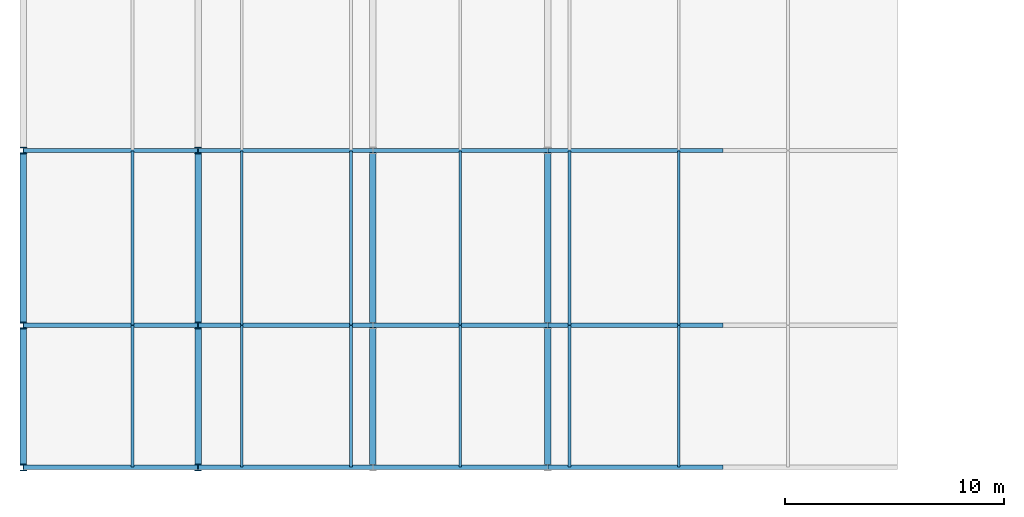
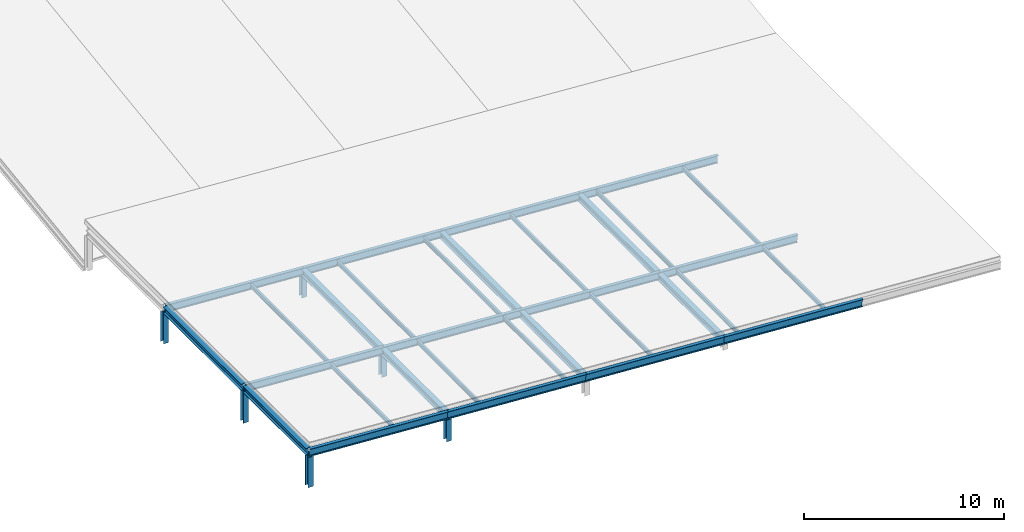
# One storey, part 5 of 77: 30 members, 8 beams.
"""IFC4 building model written with IfcOpenShell, lengths in metres."""

import ifcopenshell
import ifcopenshell.guid

model = None  # the IFC model being written
_history = None  # IfcOwnerHistory: only IFC2X3 demands one
_inside = {}  # id of a spatial element -> (the spatial element, [elements in it])
_under = {}  # id of a project, library or spatial element -> (it, [spatial elements below it])
_declared = {}  # id of a project -> (the project, [libraries it declares])
_typed = {}  # id of a type object -> (the type object, [elements of that type])
_made_of = {}  # id of a material, layer set ... -> (it, [elements and type objects made of it])


def new_model(schema):
    """Start an empty IFC model of exactly this schema.

    Asked for "IFC4X3", IfcOpenShell would pick the latest addendum, in which some entities
    have other attributes; the version numbers below select the first issue.
    IFC2X3 requires an IfcOwnerHistory on every rooted entity: one is made here for all.
    """
    global model, _history
    if schema == "IFC4X3":
        model = ifcopenshell.file(schema_version=(4, 3, 0, 0))
    else:
        model = ifcopenshell.file(schema=schema)
    _inside.clear()
    _under.clear()
    _declared.clear()
    _typed.clear()
    _made_of.clear()
    _history = None
    if model.schema == "IFC2X3":
        org = make("IfcOrganization", Name="unknown")
        user = make(
            "IfcPersonAndOrganization",
            ThePerson=make("IfcPerson", FamilyName="unknown"),
            TheOrganization=org,
        )
        app = make(
            "IfcApplication",
            ApplicationDeveloper=org,
            Version="unknown",
            ApplicationFullName="unknown",
            ApplicationIdentifier="unknown",
        )
        _history = make(
            "IfcOwnerHistory",
            OwningUser=user,
            OwningApplication=app,
            ChangeAction="ADDED",
            CreationDate=0,
        )
    return model


def make(cls, **values):
    """One entity of the class cls with the attributes given. An attribute that is None is left unset."""
    return model.create_entity(
        cls, **{name: value for name, value in values.items() if value is not None}
    )


def rooted(cls, **values):
    """An entity with a GlobalId (a new one), such as an element, a storey or a relation."""
    return make(cls, GlobalId=ifcopenshell.guid.new(), OwnerHistory=_history, **values)


def si_unit(unit_type, name, prefix=None):
    """IfcSIUnit, for example si_unit("LENGTHUNIT", "METRE", prefix="MILLI")."""
    return make("IfcSIUnit", UnitType=unit_type, Prefix=prefix, Name=name)


def assignment(units):
    """IfcUnitAssignment: the units of a project."""
    return None if units is None else make("IfcUnitAssignment", Units=units)


def point(xyz):
    """IfcCartesianPoint."""
    return None if xyz is None else make("IfcCartesianPoint", Coordinates=xyz)


def direction(xyz):
    """IfcDirection."""
    return None if xyz is None else make("IfcDirection", DirectionRatios=xyz)


def frame(location, z_axis=None, x_axis=None):
    """IfcAxis2Placement3D, a coordinate frame: its origin and axes. An axis left out is left unset."""
    return make(
        "IfcAxis2Placement3D",
        Location=point(location),
        Axis=direction(z_axis),
        RefDirection=direction(x_axis),
    )


def frame_2d(location, x_axis=None):
    """IfcAxis2Placement2D, a coordinate frame in the plane: its origin and x axis."""
    return make(
        "IfcAxis2Placement2D", Location=point(location), RefDirection=direction(x_axis)
    )


def origin():
    """The frame at (0, 0, 0) with its axes left unset."""
    return frame((0.0, 0.0, 0.0))


def origin_2d():
    """The frame at (0, 0) in the plane with its x axis left unset."""
    return frame_2d((0.0, 0.0))


def place(relative_to, where):
    """IfcLocalPlacement: puts the frame where relative to a parent placement (None: the world)."""
    return make(
        "IfcLocalPlacement", PlacementRelTo=relative_to, RelativePlacement=where
    )


def context(
    kind, dimensions, precision=None, world=None, true_north=None, identifier=None
):
    """IfcGeometricRepresentationContext, for example the 3D "Model" context."""
    return make(
        "IfcGeometricRepresentationContext",
        ContextIdentifier=identifier,
        ContextType=kind,
        CoordinateSpaceDimension=dimensions,
        Precision=precision,
        WorldCoordinateSystem=world,
        TrueNorth=true_north,
    )


def subcontext(parent, identifier, kind, view, scale=None):
    """IfcGeometricRepresentationSubContext, for example "Body" below "Model"."""
    return make(
        "IfcGeometricRepresentationSubContext",
        ContextIdentifier=identifier,
        ContextType=kind,
        ParentContext=parent,
        TargetScale=scale,
        TargetView=view,
    )


def project(units=None, contexts=None):
    """IfcProject with its units and contexts."""
    return rooted(
        "IfcProject",
        Name="project",
        RepresentationContexts=contexts,
        UnitsInContext=assignment(units),
    )


def spatial(cls, under=None, at=None, **own):
    """A site, building, storey or space (cls), placed at a placement, below another one or the project."""
    s = rooted(cls, ObjectPlacement=at, **own)
    if under is not None:
        _under.setdefault(under.id(), (under, []))[1].append(s)
    return s


def profile(cls, at=None, kind="AREA", **sizes):
    """A parametric profile (cls). Its sizes go by their IFC names, for example OverallWidth=200.0."""
    return make(cls, ProfileType=kind, Position=at, **sizes)


def i_section(**sizes):
    """IfcIShapeProfileDef."""
    return profile("IfcIShapeProfileDef", **sizes)


def extrude(swept, where, along, depth):
    """IfcExtrudedAreaSolid: the profile swept, set in the frame where, extruded along a direction by depth."""
    return make(
        "IfcExtrudedAreaSolid",
        SweptArea=swept,
        Position=where,
        ExtrudedDirection=direction(along),
        Depth=depth,
    )


def shape(context_of_items, identifier, shape_type, items):
    """IfcShapeRepresentation: the items that make up one representation, for example the "Body"."""
    return make(
        "IfcShapeRepresentation",
        ContextOfItems=context_of_items,
        RepresentationIdentifier=identifier,
        RepresentationType=shape_type,
        Items=items,
    )


def material(Name=None, Category=None):
    """IfcMaterial."""
    return make("IfcMaterial", Name=Name, Category=Category)


def material_profile(
    of_material, cross_section, Name=None, Category=None, Priority=None
):
    """IfcMaterialProfile: a cross section and its material."""
    return make(
        "IfcMaterialProfile",
        Name=Name,
        Material=of_material,
        Profile=cross_section,
        Priority=Priority,
        Category=Category,
    )


def profile_set(profiles, Name=None, composite=None):
    """IfcMaterialProfileSet."""
    return make(
        "IfcMaterialProfileSet",
        Name=Name,
        MaterialProfiles=profiles,
        CompositeProfile=composite,
    )


def made_of(thing, what):
    """Note that an element or type object is made of a material, layer set ...; save() writes the relation."""
    if what is not None:
        _made_of.setdefault(what.id(), (what, []))[1].append(thing)
    return thing


def type_object(cls, material=None, **own):
    """A type object (cls), such as IfcWallType, which elements share."""
    return made_of(rooted(cls, **own), material)


def element(
    cls,
    number,
    at=None,
    inside=None,
    cuts=None,
    type_object=None,
    material=None,
    context=None,
    identifier="Body",
    shape_type=None,
    held_by="IfcProductDefinitionShape",
    body=None,
    shapes=None,
    **own,
):
    """One element of the class cls, such as IfcWall. Its Tag is "e" and its number.

    at: its placement. inside: the storey or other place that contains it. cuts: it is an
    opening in that element (IfcRelVoidsElement). A single representation is given by context,
    identifier, shape_type and body (its items); several are given by shapes. held_by: the class
    of the entity that holds the representations. save() writes the other relations.
    """
    e = rooted(cls, Tag="e%d" % number, ObjectPlacement=at, **own)
    if body is not None:
        shapes = [shape(context, identifier, shape_type, body)]
    if shapes is not None:
        e.Representation = make(held_by, Representations=shapes)
    if inside is not None:
        _inside.setdefault(inside.id(), (inside, []))[1].append(e)
    if cuts is not None:
        rooted(
            "IfcRelVoidsElement", RelatingBuildingElement=cuts, RelatedOpeningElement=e
        )
    if type_object is not None:
        _typed.setdefault(type_object.id(), (type_object, []))[1].append(e)
    return made_of(e, material)


def aggregate(whole, parts):
    """IfcRelAggregates: a whole, such as a stair, and the parts it consists of."""
    return rooted("IfcRelAggregates", RelatingObject=whole, RelatedObjects=parts)


def save(model, path):
    """Write the relations noted so far, then the file.

    IfcRelAggregates (storeys below a building ...), IfcRelContainedInSpatialStructure (elements
    in a storey), IfcRelDefinesByType, IfcRelAssociatesMaterial and IfcRelDeclares: one each for
    every whole, place, type object, material and project.
    """
    for whole, parts in _under.values():
        aggregate(whole, parts)
    for where, things in _inside.values():
        rooted(
            "IfcRelContainedInSpatialStructure",
            RelatedElements=things,
            RelatingStructure=where,
        )
    for kind, things in _typed.values():
        rooted("IfcRelDefinesByType", RelatedObjects=things, RelatingType=kind)
    for what, things in _made_of.values():
        rooted("IfcRelAssociatesMaterial", RelatedObjects=things, RelatingMaterial=what)
    for by, libraries in _declared.values():
        rooted("IfcRelDeclares", RelatingContext=by, RelatedDefinitions=libraries)
    model.write(path)


model = new_model("IFC4")

# Units and contexts
model_context = context("Model", 3, precision=1e-05, world=origin(), true_north=direction((0.0, 1.0)))
body_context = subcontext(model_context, "Body", "Model", "MODEL_VIEW")
ifc_project = project(units=[si_unit("LENGTHUNIT", "METRE"), si_unit("AREAUNIT", "SQUARE_METRE"), si_unit("VOLUMEUNIT", "CUBIC_METRE"), si_unit("PLANEANGLEUNIT", "RADIAN"), si_unit("MASSUNIT", "GRAM", prefix="KILO"), si_unit("THERMODYNAMICTEMPERATUREUNIT", "KELVIN"), si_unit("POWERUNIT", "WATT")], contexts=[model_context])

# Site, building, storey
site_placement = place(None, origin())
site = spatial("IfcSite", under=ifc_project, at=site_placement, CompositionType="ELEMENT")
building_placement = place(site_placement, origin())
building = spatial("IfcBuilding", under=site, at=building_placement, Name="Zhenchuan Central Fire Station", CompositionType="ELEMENT")
storey_placement = place(building_placement, frame((0.0, 0.0, 10.050048828125)))
storey = spatial("IfcBuildingStorey", under=building, at=storey_placement, Name="L03", CompositionType="ELEMENT", Elevation=10.050048828125)

# Beams
ifc_material = material(Name="Steel Q355B", Category="steel")
ifc_material_profile_1 = material_profile(ifc_material, i_section(OverallWidth=0.300048828125, OverallDepth=0.389892578125, WebThickness=0.010009765625, FlangeThickness=0.01611328125, FilletRadius=0.02001953125, at=origin_2d()), Name="HM 390x300")
ifc_profile_set_1 = profile_set([ifc_material_profile_1], Name="Steel Q355B")
beam_type_1 = type_object("IfcBeamType", Name="BM-HM390", PredefinedType="BEAM", material=ifc_profile_set_1)
beam_1_placement = place(storey_placement, frame((0.0, 0.090087890625, 2.050048828125), z_axis=(0.0, 1.0, 0.0), x_axis=(-1.0, 0.0, 0.0)))
element("IfcBeam", 1, at=beam_1_placement, inside=storey, type_object=beam_type_1, Name="Lecture Raked Roof Support Girder X=0 Y=0.0", PredefinedType="BEAM", context=body_context, shape_type="SweptSolid", body=[
    extrude(i_section(OverallWidth=0.300048828125, OverallDepth=0.389892578125, WebThickness=0.010009765625, FlangeThickness=0.01611328125, FilletRadius=0.02001953125, at=origin_2d()), origin(), (0.0, 0.0, 1.0), 6.31982421875),
])
beam_2_placement = place(storey_placement, frame((0.0, 6.590087890625, 2.050048828125), z_axis=(0.0, 1.0, 0.0), x_axis=(-1.0, 0.0, 0.0)))
element("IfcBeam", 2, at=beam_2_placement, inside=storey, type_object=beam_type_1, Name="Lecture Raked Roof Support Girder X=0 Y=6.5", PredefinedType="BEAM", context=body_context, shape_type="SweptSolid", body=[
    extrude(i_section(OverallWidth=0.300048828125, OverallDepth=0.389892578125, WebThickness=0.010009765625, FlangeThickness=0.01611328125, FilletRadius=0.02001953125, at=origin_2d()), origin(), (0.0, 0.0, 1.0), 7.81982421875),
])
ifc_material_profile_2 = material_profile(ifc_material, i_section(OverallWidth=0.300048828125, OverallDepth=0.389892578125, WebThickness=0.010009765625, FlangeThickness=0.01611328125, FilletRadius=0.02001953125, at=origin_2d()), Name="HM 390x300")
ifc_profile_set_2 = profile_set([ifc_material_profile_2], Name="Steel Q355B")
beam_type_2 = type_object("IfcBeamType", Name="BM-HM390-INT", PredefinedType="BEAM", material=ifc_profile_set_2)
beam_3_placement = place(storey_placement, frame((8.0, 0.090087890625, 1.5419921875), z_axis=(0.0, 1.0, 0.0), x_axis=(-1.0, 0.0, 0.0)))
element("IfcBeam", 3, at=beam_3_placement, inside=storey, type_object=beam_type_2, Name="Lecture Raked Roof Support Girder X=8 Y=0.0", PredefinedType="BEAM", context=body_context, shape_type="SweptSolid", body=[
    extrude(i_section(OverallWidth=0.300048828125, OverallDepth=0.389892578125, WebThickness=0.010009765625, FlangeThickness=0.01611328125, FilletRadius=0.02001953125, at=origin_2d()), origin(), (0.0, 0.0, 1.0), 6.31982421875),
])
beam_4_placement = place(storey_placement, frame((8.0, 6.590087890625, 1.5419921875), z_axis=(0.0, 1.0, 0.0), x_axis=(-1.0, 0.0, 0.0)))
element("IfcBeam", 4, at=beam_4_placement, inside=storey, type_object=beam_type_2, Name="Lecture Raked Roof Support Girder X=8 Y=6.5", PredefinedType="BEAM", context=body_context, shape_type="SweptSolid", body=[
    extrude(i_section(OverallWidth=0.300048828125, OverallDepth=0.389892578125, WebThickness=0.010009765625, FlangeThickness=0.01611328125, FilletRadius=0.02001953125, at=origin_2d()), origin(), (0.0, 0.0, 1.0), 7.81982421875),
])
beam_5_placement = place(storey_placement, frame((16.0, 0.090087890625, 1.033935546875), z_axis=(0.0, 1.0, 0.0), x_axis=(-1.0, 0.0, 0.0)))
element("IfcBeam", 5, at=beam_5_placement, inside=storey, type_object=beam_type_2, Name="Lecture Raked Roof Support Girder X=16 Y=0.0", PredefinedType="BEAM", context=body_context, shape_type="SweptSolid", body=[
    extrude(i_section(OverallWidth=0.300048828125, OverallDepth=0.389892578125, WebThickness=0.010009765625, FlangeThickness=0.01611328125, FilletRadius=0.02001953125, at=origin_2d()), origin(), (0.0, 0.0, 1.0), 6.31982421875),
])
beam_6_placement = place(storey_placement, frame((16.0, 6.590087890625, 1.033935546875), z_axis=(0.0, 1.0, 0.0), x_axis=(-1.0, 0.0, 0.0)))
element("IfcBeam", 6, at=beam_6_placement, inside=storey, type_object=beam_type_2, Name="Lecture Raked Roof Support Girder X=16 Y=6.5", PredefinedType="BEAM", context=body_context, shape_type="SweptSolid", body=[
    extrude(i_section(OverallWidth=0.300048828125, OverallDepth=0.389892578125, WebThickness=0.010009765625, FlangeThickness=0.01611328125, FilletRadius=0.02001953125, at=origin_2d()), origin(), (0.0, 0.0, 1.0), 7.81982421875),
])
beam_7_placement = place(storey_placement, frame((24.0, 0.090087890625, 0.52587890625), z_axis=(0.0, 1.0, 0.0), x_axis=(-1.0, 0.0, 0.0)))
element("IfcBeam", 7, at=beam_7_placement, inside=storey, type_object=beam_type_2, Name="Lecture Raked Roof Support Girder X=24 Y=0.0", PredefinedType="BEAM", context=body_context, shape_type="SweptSolid", body=[
    extrude(i_section(OverallWidth=0.300048828125, OverallDepth=0.389892578125, WebThickness=0.010009765625, FlangeThickness=0.01611328125, FilletRadius=0.02001953125, at=origin_2d()), origin(), (0.0, 0.0, 1.0), 6.31982421875),
])
beam_8_placement = place(storey_placement, frame((24.0, 6.590087890625, 0.52587890625), z_axis=(0.0, 1.0, 0.0), x_axis=(-1.0, 0.0, 0.0)))
element("IfcBeam", 8, at=beam_8_placement, inside=storey, type_object=beam_type_2, Name="Lecture Raked Roof Support Girder X=24 Y=6.5", PredefinedType="BEAM", context=body_context, shape_type="SweptSolid", body=[
    extrude(i_section(OverallWidth=0.300048828125, OverallDepth=0.389892578125, WebThickness=0.010009765625, FlangeThickness=0.01611328125, FilletRadius=0.02001953125, at=origin_2d()), origin(), (0.0, 0.0, 1.0), 7.81982421875),
])

# Members
ifc_material_profile_3 = material_profile(ifc_material, i_section(OverallWidth=0.300048828125, OverallDepth=0.300048828125, WebThickness=0.010009765625, FlangeThickness=0.014892578125, FilletRadius=0.01806640625, at=origin_2d()), Name="HW 300x300")
ifc_profile_set_3 = profile_set([ifc_material_profile_3], Name="Steel Q355B")
member_type_1 = type_object("IfcMemberType", Name="MB-CH-HW300", PredefinedType="CHORD", material=ifc_profile_set_3)
for number, where, z_axis, x_axis, name in (
    (9, (0.0, 0.0, 0.0), (0.0, 0.0, 1.0), (1.0, 0.0, 0.0), "Lecture Roof Post X=0 Y=0.0"),
    (10, (0.0, 6.5, 0.0), (0.0, 0.0, 1.0), (1.0, 0.0, 0.0), "Lecture Roof Post X=0 Y=6.5"),
    (11, (0.0, 14.5, 0.0), (0.0, 0.0, 1.0), (1.0, 0.0, 0.0), "Lecture Roof Post X=0 Y=14.5"),
):
    element("IfcMember", number, at=place(storey_placement, frame(where, z_axis=z_axis, x_axis=x_axis)), inside=storey, type_object=member_type_1, Name=name, PredefinedType="POST", context=body_context, shape_type="SweptSolid", body=[
        extrude(i_section(OverallWidth=0.300048828125, OverallDepth=0.300048828125, WebThickness=0.010009765625, FlangeThickness=0.014892578125, FilletRadius=0.01806640625, at=origin_2d()), origin(), (0.0, 0.0, 1.0), 1.8349609375),
    ])
ifc_material_profile_4 = material_profile(ifc_material, i_section(OverallWidth=0.300048828125, OverallDepth=0.300048828125, WebThickness=0.010009765625, FlangeThickness=0.014892578125, FilletRadius=0.01806640625, at=origin_2d()), Name="HW 300x300")
ifc_profile_set_4 = profile_set([ifc_material_profile_4], Name="Steel Q355B")
member_type_2 = type_object("IfcMemberType", Name="MB-CH-HW300-INT", PredefinedType="CHORD", material=ifc_profile_set_4)
for number, where, z_axis, x_axis, name in (
    (12, (8.0, 0.0, 0.0), (0.0, 0.0, 1.0), (1.0, 0.0, 0.0), "Lecture Roof Post X=8 Y=0.0"),
    (13, (8.0, 6.5, 0.0), (0.0, 0.0, 1.0), (1.0, 0.0, 0.0), "Lecture Roof Post X=8 Y=6.5"),
    (14, (8.0, 14.5, 0.0), (0.0, 0.0, 1.0), (1.0, 0.0, 0.0), "Lecture Roof Post X=8 Y=14.5"),
):
    element("IfcMember", number, at=place(storey_placement, frame(where, z_axis=z_axis, x_axis=x_axis)), inside=storey, type_object=member_type_2, Name=name, PredefinedType="POST", context=body_context, shape_type="SweptSolid", body=[
        extrude(i_section(OverallWidth=0.300048828125, OverallDepth=0.300048828125, WebThickness=0.010009765625, FlangeThickness=0.014892578125, FilletRadius=0.01806640625, at=origin_2d()), origin(), (0.0, 0.0, 1.0), 1.326904296875),
    ])
ifc_material_profile_5 = material_profile(ifc_material, i_section(OverallWidth=0.125, OverallDepth=0.25, WebThickness=0.006103515625, FlangeThickness=0.009033203125, FilletRadius=0.011962890625, at=origin_2d()), Name="HN 250x125")
ifc_profile_set_5 = profile_set([ifc_material_profile_5], Name="Steel Q355B")
member_type_3 = type_object("IfcMemberType", Name="MB-PR-HN250", PredefinedType="PURLIN", material=ifc_profile_set_5)
for number, where, z_axis, x_axis, name in (
    (15, (5.0, 0.014892578125, 1.70751953125), (0.0, 1.0, 0.0), (-1.0, 0.0, 0.0), "Lecture Roof Purlin 0-1"),
    (16, (10.0, 0.014892578125, 1.389892578125), (0.0, 1.0, 0.0), (-1.0, 0.0, 0.0), "Lecture Roof Purlin 0-2"),
    (17, (15.0, 0.014892578125, 1.072509765625), (0.0, 1.0, 0.0), (-1.0, 0.0, 0.0), "Lecture Roof Purlin 0-3"),
    (18, (20.0, 0.014892578125, 0.7548828125), (0.0, 1.0, 0.0), (-1.0, 0.0, 0.0), "Lecture Roof Purlin 0-4"),
    (19, (25.0, 0.014892578125, 0.4375), (0.0, 1.0, 0.0), (-1.0, 0.0, 0.0), "Lecture Roof Purlin 0-5"),
    (20, (30.0, 0.014892578125, 0.119873046875), (0.0, 1.0, 0.0), (-1.0, 0.0, 0.0), "Lecture Roof Purlin 0-6"),
):
    element("IfcMember", number, at=place(storey_placement, frame(where, z_axis=z_axis, x_axis=x_axis)), inside=storey, type_object=member_type_3, Name=name, PredefinedType="PURLIN", context=body_context, shape_type="SweptSolid", body=[
        extrude(i_section(OverallWidth=0.125, OverallDepth=0.25, WebThickness=0.006103515625, FlangeThickness=0.009033203125, FilletRadius=0.011962890625, at=origin_2d()), origin(), (0.0, 0.0, 1.0), 6.47021484375),
    ])
for number, where, z_axis, x_axis, name in (
    (21, (5.0, 6.514892578125, 1.70751953125), (0.0, 1.0, 0.0), (-1.0, 0.0, 0.0), "Lecture Roof Purlin 6-1"),
    (22, (10.0, 6.514892578125, 1.389892578125), (0.0, 1.0, 0.0), (-1.0, 0.0, 0.0), "Lecture Roof Purlin 6-2"),
    (23, (15.0, 6.514892578125, 1.072509765625), (0.0, 1.0, 0.0), (-1.0, 0.0, 0.0), "Lecture Roof Purlin 6-3"),
    (24, (20.0, 6.514892578125, 0.7548828125), (0.0, 1.0, 0.0), (-1.0, 0.0, 0.0), "Lecture Roof Purlin 6-4"),
    (25, (25.0, 6.514892578125, 0.4375), (0.0, 1.0, 0.0), (-1.0, 0.0, 0.0), "Lecture Roof Purlin 6-5"),
    (26, (30.0, 6.514892578125, 0.119873046875), (0.0, 1.0, 0.0), (-1.0, 0.0, 0.0), "Lecture Roof Purlin 6-6"),
):
    element("IfcMember", number, at=place(storey_placement, frame(where, z_axis=z_axis, x_axis=x_axis)), inside=storey, type_object=member_type_3, Name=name, PredefinedType="PURLIN", context=body_context, shape_type="SweptSolid", body=[
        extrude(i_section(OverallWidth=0.125, OverallDepth=0.25, WebThickness=0.006103515625, FlangeThickness=0.009033203125, FilletRadius=0.011962890625, at=origin_2d()), origin(), (0.0, 0.0, 1.0), 7.97021484375),
    ])
ifc_material_profile_6 = material_profile(ifc_material, i_section(OverallWidth=0.199951171875, OverallDepth=0.449951171875, WebThickness=0.009033203125, FlangeThickness=0.013916015625, FilletRadius=0.01806640625, at=origin_2d()), Name="HN 450x200")
ifc_profile_set_6 = profile_set([ifc_material_profile_6], Name="Steel Q355B")
member_type_4 = type_object("IfcMemberType", Name="MB-RF-HN450", PredefinedType="RAFTER", material=ifc_profile_set_6)
for number, where, z_axis, x_axis, name in (
    (27, (0.0, 0.0, 2.050048828125), (0.99798950482, 0.0, -0.0633793994), (0.0, 1.0, 0.0), "Lecture Raked Roof Rafter Y=0.0 Bay 1"),
    (28, (8.0, 0.0, 1.5419921875), (0.99798950482, 0.0, -0.0633793994), (0.0, 1.0, 0.0), "Lecture Raked Roof Rafter Y=0.0 Bay 2"),
    (29, (16.0, 0.0, 1.033935546875), (0.99798950482, 0.0, -0.0633793994), (0.0, 1.0, 0.0), "Lecture Raked Roof Rafter Y=0.0 Bay 3"),
    (30, (24.0, 0.0, 0.52587890625), (0.997991430779, 0.0, -0.06334906543), (0.0, 1.0, 0.0), "Lecture Raked Roof Rafter Y=0.0 Bay 4"),
):
    element("IfcMember", number, at=place(storey_placement, frame(where, z_axis=z_axis, x_axis=x_axis)), inside=storey, type_object=member_type_4, Name=name, PredefinedType="RAFTER", context=body_context, shape_type="SweptSolid", body=[
        extrude(i_section(OverallWidth=0.199951171875, OverallDepth=0.449951171875, WebThickness=0.009033203125, FlangeThickness=0.013916015625, FilletRadius=0.01806640625, at=origin_2d()), origin(), (0.0, 0.0, 1.0), 8.01611328125),
    ])
ifc_material_profile_7 = material_profile(ifc_material, i_section(OverallWidth=0.199951171875, OverallDepth=0.449951171875, WebThickness=0.009033203125, FlangeThickness=0.013916015625, FilletRadius=0.01806640625, at=origin_2d()), Name="HN 450x200")
ifc_profile_set_7 = profile_set([ifc_material_profile_7], Name="Steel Q355B")
member_type_5 = type_object("IfcMemberType", Name="MB-RF-HN450-INT", PredefinedType="RAFTER", material=ifc_profile_set_7)
for number, where, z_axis, x_axis, name in (
    (31, (0.0, 6.5, 2.050048828125), (0.99798950482, 0.0, -0.0633793994), (0.0, 1.0, 0.0), "Lecture Raked Roof Rafter Y=6.5 Bay 1"),
    (32, (8.0, 6.5, 1.5419921875), (0.99798950482, 0.0, -0.0633793994), (0.0, 1.0, 0.0), "Lecture Raked Roof Rafter Y=6.5 Bay 2"),
    (33, (16.0, 6.5, 1.033935546875), (0.99798950482, 0.0, -0.0633793994), (0.0, 1.0, 0.0), "Lecture Raked Roof Rafter Y=6.5 Bay 3"),
    (34, (24.0, 6.5, 0.52587890625), (0.997991430779, 0.0, -0.06334906543), (0.0, 1.0, 0.0), "Lecture Raked Roof Rafter Y=6.5 Bay 4"),
    (35, (0.0, 14.5, 2.050048828125), (0.99798950482, 0.0, -0.0633793994), (0.0, 1.0, 0.0), "Lecture Raked Roof Rafter Y=14.5 Bay 1"),
    (36, (8.0, 14.5, 1.5419921875), (0.99798950482, 0.0, -0.0633793994), (0.0, 1.0, 0.0), "Lecture Raked Roof Rafter Y=14.5 Bay 2"),
    (37, (16.0, 14.5, 1.033935546875), (0.99798950482, 0.0, -0.0633793994), (0.0, 1.0, 0.0), "Lecture Raked Roof Rafter Y=14.5 Bay 3"),
    (38, (24.0, 14.5, 0.52587890625), (0.997991430779, 0.0, -0.06334906543), (0.0, 1.0, 0.0), "Lecture Raked Roof Rafter Y=14.5 Bay 4"),
):
    element("IfcMember", number, at=place(storey_placement, frame(where, z_axis=z_axis, x_axis=x_axis)), inside=storey, type_object=member_type_5, Name=name, PredefinedType="RAFTER", context=body_context, shape_type="SweptSolid", body=[
        extrude(i_section(OverallWidth=0.199951171875, OverallDepth=0.449951171875, WebThickness=0.009033203125, FlangeThickness=0.013916015625, FilletRadius=0.01806640625, at=origin_2d()), origin(), (0.0, 0.0, 1.0), 8.01611328125),
    ])

save(model, "model.ifc")
